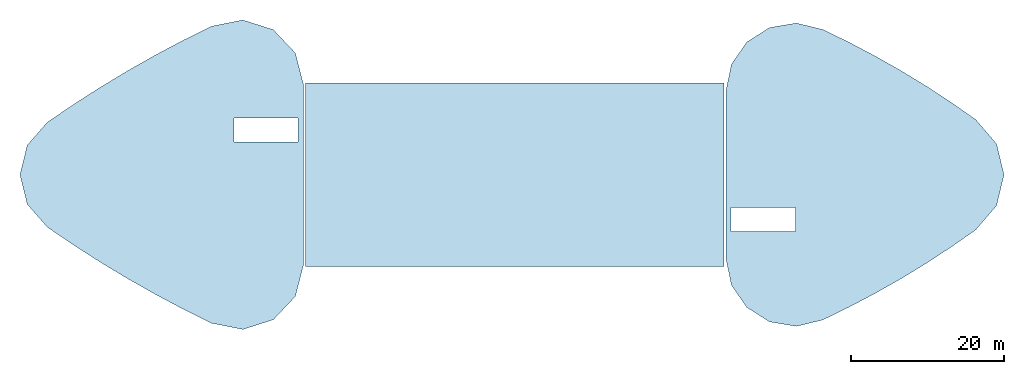
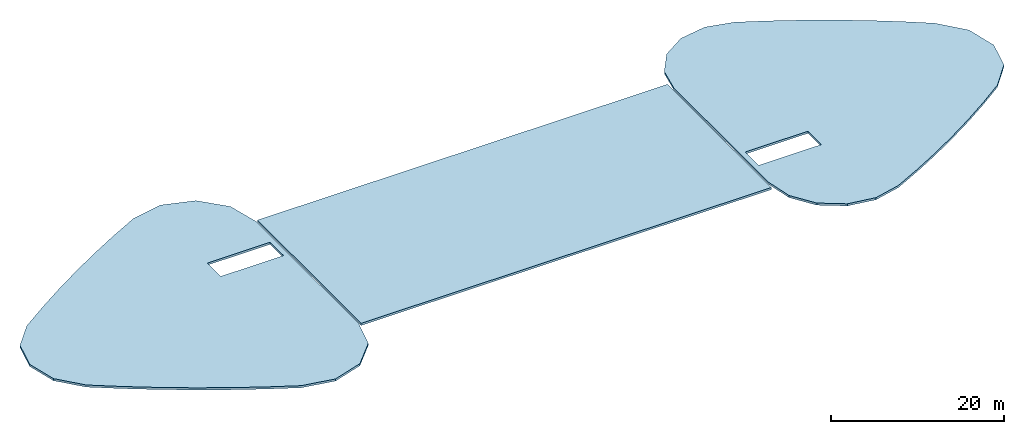
# One storey: 3 slabs.
"""IFC4 building model written with IfcOpenShell, lengths in metres."""

import ifcopenshell
import ifcopenshell.guid

model = None  # the IFC model being written
_history = None  # IfcOwnerHistory: only IFC2X3 demands one
_inside = {}  # id of a spatial element -> (the spatial element, [elements in it])
_under = {}  # id of a project, library or spatial element -> (it, [spatial elements below it])
_declared = {}  # id of a project -> (the project, [libraries it declares])
_typed = {}  # id of a type object -> (the type object, [elements of that type])
_made_of = {}  # id of a material, layer set ... -> (it, [elements and type objects made of it])


def new_model(schema):
    """Start an empty IFC model of exactly this schema.

    Asked for "IFC4X3", IfcOpenShell would pick the latest addendum, in which some entities
    have other attributes; the version numbers below select the first issue.
    IFC2X3 requires an IfcOwnerHistory on every rooted entity: one is made here for all.
    """
    global model, _history
    if schema == "IFC4X3":
        model = ifcopenshell.file(schema_version=(4, 3, 0, 0))
    else:
        model = ifcopenshell.file(schema=schema)
    _inside.clear()
    _under.clear()
    _declared.clear()
    _typed.clear()
    _made_of.clear()
    _history = None
    if model.schema == "IFC2X3":
        org = make("IfcOrganization", Name="unknown")
        user = make(
            "IfcPersonAndOrganization",
            ThePerson=make("IfcPerson", FamilyName="unknown"),
            TheOrganization=org,
        )
        app = make(
            "IfcApplication",
            ApplicationDeveloper=org,
            Version="unknown",
            ApplicationFullName="unknown",
            ApplicationIdentifier="unknown",
        )
        _history = make(
            "IfcOwnerHistory",
            OwningUser=user,
            OwningApplication=app,
            ChangeAction="ADDED",
            CreationDate=0,
        )
    return model


def make(cls, **values):
    """One entity of the class cls with the attributes given. An attribute that is None is left unset."""
    return model.create_entity(
        cls, **{name: value for name, value in values.items() if value is not None}
    )


def rooted(cls, **values):
    """An entity with a GlobalId (a new one), such as an element, a storey or a relation."""
    return make(cls, GlobalId=ifcopenshell.guid.new(), OwnerHistory=_history, **values)


def si_unit(unit_type, name, prefix=None):
    """IfcSIUnit, for example si_unit("LENGTHUNIT", "METRE", prefix="MILLI")."""
    return make("IfcSIUnit", UnitType=unit_type, Prefix=prefix, Name=name)


def assignment(units):
    """IfcUnitAssignment: the units of a project."""
    return None if units is None else make("IfcUnitAssignment", Units=units)


def point(xyz):
    """IfcCartesianPoint."""
    return None if xyz is None else make("IfcCartesianPoint", Coordinates=xyz)


def direction(xyz):
    """IfcDirection."""
    return None if xyz is None else make("IfcDirection", DirectionRatios=xyz)


def frame(location, z_axis=None, x_axis=None):
    """IfcAxis2Placement3D, a coordinate frame: its origin and axes. An axis left out is left unset."""
    return make(
        "IfcAxis2Placement3D",
        Location=point(location),
        Axis=direction(z_axis),
        RefDirection=direction(x_axis),
    )


def origin():
    """The frame at (0, 0, 0) with its axes left unset."""
    return frame((0.0, 0.0, 0.0))


def place(relative_to, where):
    """IfcLocalPlacement: puts the frame where relative to a parent placement (None: the world)."""
    return make(
        "IfcLocalPlacement", PlacementRelTo=relative_to, RelativePlacement=where
    )


def context(
    kind, dimensions, precision=None, world=None, true_north=None, identifier=None
):
    """IfcGeometricRepresentationContext, for example the 3D "Model" context."""
    return make(
        "IfcGeometricRepresentationContext",
        ContextIdentifier=identifier,
        ContextType=kind,
        CoordinateSpaceDimension=dimensions,
        Precision=precision,
        WorldCoordinateSystem=world,
        TrueNorth=true_north,
    )


def subcontext(parent, identifier, kind, view, scale=None):
    """IfcGeometricRepresentationSubContext, for example "Body" below "Model"."""
    return make(
        "IfcGeometricRepresentationSubContext",
        ContextIdentifier=identifier,
        ContextType=kind,
        ParentContext=parent,
        TargetScale=scale,
        TargetView=view,
    )


def project(units=None, contexts=None):
    """IfcProject with its units and contexts."""
    return rooted(
        "IfcProject",
        Name="project",
        RepresentationContexts=contexts,
        UnitsInContext=assignment(units),
    )


def spatial(cls, under=None, at=None, **own):
    """A site, building, storey or space (cls), placed at a placement, below another one or the project."""
    s = rooted(cls, ObjectPlacement=at, **own)
    if under is not None:
        _under.setdefault(under.id(), (under, []))[1].append(s)
    return s


def polyline(points):
    """IfcPolyline through the points."""
    return make("IfcPolyline", Points=[point(p) for p in points])


def outline(outer, holes=None, kind="AREA"):
    """IfcArbitraryClosedProfileDef: a profile drawn as a closed curve; with holes, ...WithVoids."""
    if holes is None:
        return make("IfcArbitraryClosedProfileDef", ProfileType=kind, OuterCurve=outer)
    return make(
        "IfcArbitraryProfileDefWithVoids",
        ProfileType=kind,
        OuterCurve=outer,
        InnerCurves=holes,
    )


def extrude(swept, where, along, depth):
    """IfcExtrudedAreaSolid: the profile swept, set in the frame where, extruded along a direction by depth."""
    return make(
        "IfcExtrudedAreaSolid",
        SweptArea=swept,
        Position=where,
        ExtrudedDirection=direction(along),
        Depth=depth,
    )


def shape(context_of_items, identifier, shape_type, items):
    """IfcShapeRepresentation: the items that make up one representation, for example the "Body"."""
    return make(
        "IfcShapeRepresentation",
        ContextOfItems=context_of_items,
        RepresentationIdentifier=identifier,
        RepresentationType=shape_type,
        Items=items,
    )


def material(Name=None, Category=None):
    """IfcMaterial."""
    return make("IfcMaterial", Name=Name, Category=Category)


def layer(
    of_material, thickness, ventilated=None, Name=None, Category=None, Priority=None
):
    """IfcMaterialLayer: one layer of a wall or slab, of a material (None: an air gap)."""
    return make(
        "IfcMaterialLayer",
        Material=of_material,
        LayerThickness=thickness,
        IsVentilated=ventilated,
        Name=Name,
        Category=Category,
        Priority=Priority,
    )


def layer_set(layers, Name=None):
    """IfcMaterialLayerSet."""
    return make("IfcMaterialLayerSet", MaterialLayers=layers, LayerSetName=Name)


def made_of(thing, what):
    """Note that an element or type object is made of a material, layer set ...; save() writes the relation."""
    if what is not None:
        _made_of.setdefault(what.id(), (what, []))[1].append(thing)
    return thing


def type_object(cls, material=None, **own):
    """A type object (cls), such as IfcWallType, which elements share."""
    return made_of(rooted(cls, **own), material)


def element(
    cls,
    number,
    at=None,
    inside=None,
    cuts=None,
    type_object=None,
    material=None,
    context=None,
    identifier="Body",
    shape_type=None,
    held_by="IfcProductDefinitionShape",
    body=None,
    shapes=None,
    **own,
):
    """One element of the class cls, such as IfcWall. Its Tag is "e" and its number.

    at: its placement. inside: the storey or other place that contains it. cuts: it is an
    opening in that element (IfcRelVoidsElement). A single representation is given by context,
    identifier, shape_type and body (its items); several are given by shapes. held_by: the class
    of the entity that holds the representations. save() writes the other relations.
    """
    e = rooted(cls, Tag="e%d" % number, ObjectPlacement=at, **own)
    if body is not None:
        shapes = [shape(context, identifier, shape_type, body)]
    if shapes is not None:
        e.Representation = make(held_by, Representations=shapes)
    if inside is not None:
        _inside.setdefault(inside.id(), (inside, []))[1].append(e)
    if cuts is not None:
        rooted(
            "IfcRelVoidsElement", RelatingBuildingElement=cuts, RelatedOpeningElement=e
        )
    if type_object is not None:
        _typed.setdefault(type_object.id(), (type_object, []))[1].append(e)
    return made_of(e, material)


def aggregate(whole, parts):
    """IfcRelAggregates: a whole, such as a stair, and the parts it consists of."""
    return rooted("IfcRelAggregates", RelatingObject=whole, RelatedObjects=parts)


def save(model, path):
    """Write the relations noted so far, then the file.

    IfcRelAggregates (storeys below a building ...), IfcRelContainedInSpatialStructure (elements
    in a storey), IfcRelDefinesByType, IfcRelAssociatesMaterial and IfcRelDeclares: one each for
    every whole, place, type object, material and project.
    """
    for whole, parts in _under.values():
        aggregate(whole, parts)
    for where, things in _inside.values():
        rooted(
            "IfcRelContainedInSpatialStructure",
            RelatedElements=things,
            RelatingStructure=where,
        )
    for kind, things in _typed.values():
        rooted("IfcRelDefinesByType", RelatedObjects=things, RelatingType=kind)
    for what, things in _made_of.values():
        rooted("IfcRelAssociatesMaterial", RelatedObjects=things, RelatingMaterial=what)
    for by, libraries in _declared.values():
        rooted("IfcRelDeclares", RelatingContext=by, RelatedDefinitions=libraries)
    model.write(path)


model = new_model("IFC4")

# Units and contexts
model_context = context("Model", 3, precision=1e-05, world=origin(), true_north=direction((0.0, 1.0)))
body_context = subcontext(model_context, "Body", "Model", "MODEL_VIEW")
ifc_project = project(units=[si_unit("LENGTHUNIT", "METRE"), si_unit("AREAUNIT", "SQUARE_METRE"), si_unit("VOLUMEUNIT", "CUBIC_METRE"), si_unit("PLANEANGLEUNIT", "RADIAN"), si_unit("MASSUNIT", "GRAM", prefix="KILO")], contexts=[model_context])

# Site, building, storey
site_placement = place(None, origin())
site = spatial("IfcSite", under=ifc_project, at=site_placement, CompositionType="ELEMENT")
building_placement = place(site_placement, origin())
building = spatial("IfcBuilding", under=site, at=building_placement, Name="Lancet Gate Hotel", CompositionType="ELEMENT")
storey_placement = place(building_placement, frame((0.0, 0.0, 273.300048828125)))
storey = spatial("IfcBuildingStorey", under=building, at=storey_placement, Name="MAIN ROOF", CompositionType="ELEMENT", Elevation=273.300048828125)

# Slabs
ifc_material = material(Name="Concrete C50/60", Category="concrete")
ifc_layer = layer(ifc_material, 0.300048828125)
ifc_layer_set = layer_set([ifc_layer], Name="Roof slab 300")
slab_type = type_object("IfcSlabType", Name="Roof slab 300", PredefinedType="ROOF", material=ifc_layer_set)
slab_1_placement = place(storey_placement, frame((0.0, 0.0, -0.300048828125)))
element("IfcSlab", 1, at=slab_1_placement, inside=storey, type_object=slab_type, Name="T1 roof slab", PredefinedType="ROOF", context=body_context, shape_type="SweptSolid", body=[
    extrude(outline(polyline([(-28.668701171875, 15.912353515625), (-31.542236328125, 18.95263671875), (-35.52783203125, 20.22412109375), (-39.645751953125, 19.40673828125), (-43.344482421875, 17.565673828125), (-47.005126953125, 15.618896484375), (-50.61181640625, 13.574462890625), (-54.162353515625, 11.43359375), (-57.654052734375, 9.197998046875), (-61.072998046875, 6.876708984375), (-63.71240234375, 3.871337890625), (-64.66064453125, 0.0), (-63.71240234375, -3.871337890625), (-61.072998046875, -6.876708984375), (-57.654052734375, -9.197998046875), (-54.162353515625, -11.43359375), (-50.61181640625, -13.574462890625), (-47.005126953125, -15.618896484375), (-43.344482421875, -17.565673828125), (-39.645751953125, -19.40673828125), (-35.52783203125, -20.22412109375), (-31.542236328125, -18.95263671875), (-28.668701171875, -15.912353515625), (-27.6201171875, -11.84619140625), (-27.6201171875, 11.84619140625), (-28.668701171875, 15.912353515625)]), holes=[polyline([(-36.699951171875, 7.39990234375), (-36.699951171875, 4.300048828125), (-28.300048828125, 4.300048828125), (-28.300048828125, 7.39990234375), (-36.699951171875, 7.39990234375)])]), origin(), (0.0, 0.0, 1.0), 0.300048828125),
])
slab_2_placement = place(storey_placement, frame((0.0, 0.0, -0.300048828125)))
element("IfcSlab", 2, at=slab_2_placement, inside=storey, type_object=slab_type, Name="T2 roof slab", PredefinedType="ROOF", context=body_context, shape_type="SweptSolid", body=[
    extrude(outline(polyline([(28.329345703125, -14.419677734375), (30.33740234375, -17.338134765625), (33.326904296875, -19.2392578125), (36.82177734375, -19.81982421875), (40.2763671875, -18.98486328125), (43.753662109375, -17.2890625), (47.18603515625, -15.47998046875), (50.5595703125, -13.56396484375), (53.87158203125, -11.54296875), (57.118408203125, -9.4189453125), (60.2861328125, -7.20166015625), (62.99658203125, -4.03759765625), (63.968017578125, 0.0), (62.99658203125, 4.03759765625), (60.2861328125, 7.20166015625), (57.118408203125, 9.4189453125), (53.87158203125, 11.54296875), (50.5595703125, 13.56396484375), (47.18603515625, 15.47998046875), (43.753662109375, 17.2890625), (40.2763671875, 18.98486328125), (36.82177734375, 19.81982421875), (33.326904296875, 19.2392578125), (30.33740234375, 17.338134765625), (28.329345703125, 14.419677734375), (27.6201171875, 10.93603515625), (27.6201171875, -10.93603515625), (28.329345703125, -14.419677734375)]), holes=[polyline([(36.699951171875, -7.39990234375), (36.699951171875, -4.300048828125), (28.300048828125, -4.300048828125), (28.300048828125, -7.39990234375), (36.699951171875, -7.39990234375)])]), origin(), (0.0, 0.0, 1.0), 0.300048828125),
])
slab_3_placement = place(storey_placement, frame((0.0, 0.0, -0.300048828125)))
element("IfcSlab", 3, at=slab_3_placement, inside=storey, type_object=slab_type, Name="Bridge block roof slab", PredefinedType="ROOF", context=body_context, shape_type="SweptSolid", body=[
    extrude(outline(polyline([(27.35009765625, -12.0), (27.35009765625, 12.0), (-27.35009765625, 12.0), (-27.35009765625, -12.0), (27.35009765625, -12.0)])), origin(), (0.0, 0.0, 1.0), 0.300048828125),
])

save(model, "model.ifc")
